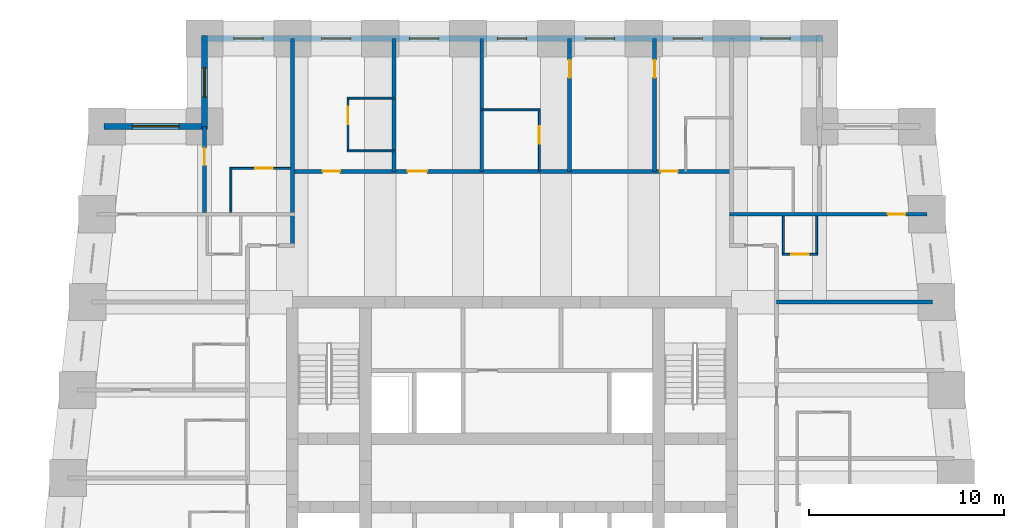
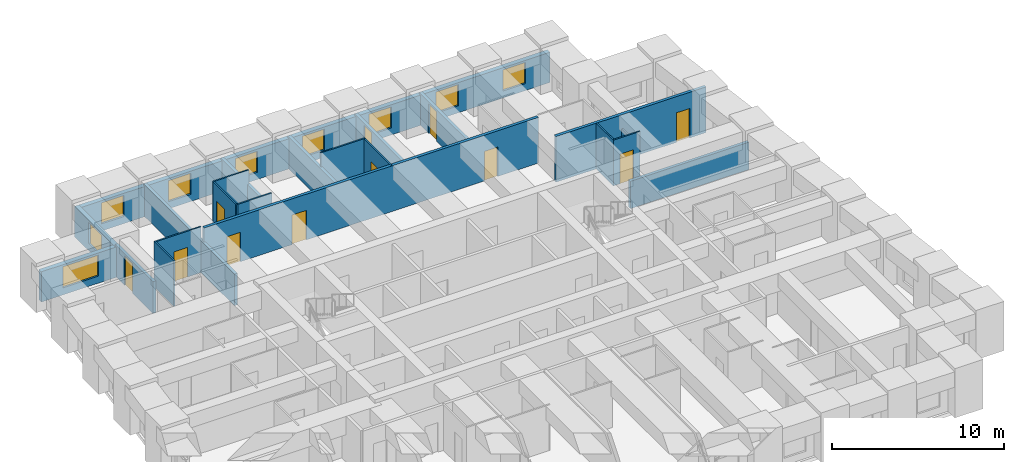
# One storey, part 6 of 8: 22 walls, 11 doors, 9 windows, 20 openings.
"""IFC4 building model written with IfcOpenShell, lengths in metres."""

from ifc_helpers import new_model, si_unit, direction, frame, frame_2d, origin, place, context, subcontext, project, spatial, rectangle, extrude, material, layer, layer_set, type_object, element, fill, save


model = new_model("IFC4")

# Units and contexts
model_context = context("Model", 3, precision=1e-05, world=origin(), true_north=direction((0.0, 1.0)))
body_context = subcontext(model_context, "Body", "Model", "MODEL_VIEW")
ifc_project = project(units=[si_unit("LENGTHUNIT", "METRE"), si_unit("AREAUNIT", "SQUARE_METRE"), si_unit("VOLUMEUNIT", "CUBIC_METRE"), si_unit("PLANEANGLEUNIT", "RADIAN"), si_unit("MASSUNIT", "GRAM", prefix="KILO")], contexts=[model_context])

# Site, building, storey
site_placement = place(None, origin())
site = spatial("IfcSite", under=ifc_project, at=site_placement, CompositionType="ELEMENT")
building_placement = place(site_placement, origin())
building = spatial("IfcBuilding", under=site, at=building_placement, Name="Kilele Tower Hotel", CompositionType="ELEMENT")
storey_placement = place(building_placement, frame((0.0, 0.0, 124.89990234375)))
storey = spatial("IfcBuildingStorey", under=building, at=storey_placement, Name="L32", CompositionType="ELEMENT", Elevation=124.89990234375)

# Walls
ifc_material_1 = material(Name="Moisture-resistant board")
ifc_layer_1 = layer(ifc_material_1, 0.10009765625)
ifc_layer_set_1 = layer_set([ifc_layer_1], Name="Moisture-resistant board")
wall_type_1 = type_object("IfcWallType", Name="Bathroom partition 100", PredefinedType="PLUMBINGWALL", material=ifc_layer_set_1)
for number, where, z_axis, x_axis, name in (
    (1, (16.300048828125, 34.75, 0.0), (0.0, 0.0, 1.0), (1.0, 0.0, 0.0), "Bathroom partition 100 L32"),
    (2, (16.300048828125, 37.449951171875, 0.0), (0.0, 0.0, 1.0), (1.0, 0.0, 0.0), "Bathroom partition 100 L32"),
):
    element("IfcWall", number, at=place(storey_placement, frame(where, z_axis=z_axis, x_axis=x_axis)), inside=storey, type_object=wall_type_1, Name=name, PredefinedType="PLUMBINGWALL", context=body_context, shape_type="SweptSolid", body=[
        extrude(rectangle(XDim=2.39990234375, YDim=0.10009765625, at=frame_2d((1.199951171875, 0.0))), origin(), (0.0, 0.0, 1.0), 3.25),
    ])

# Wall, opening, door
wall_1_placement = place(storey_placement, frame((16.35009765625, 34.699951171875, 0.0), z_axis=(0.0, 0.0, 1.0), x_axis=(0.0, 1.0, 0.0)))
wall_1 = element("IfcWall", 3, at=wall_1_placement, inside=storey, type_object=wall_type_1, Name="Bathroom partition 100 L32", PredefinedType="PLUMBINGWALL", context=body_context, shape_type="SweptSolid", body=[
    extrude(rectangle(XDim=2.800048828125, YDim=0.10009765625, at=frame_2d((1.39990234375, 0.0))), origin(), (0.0, 0.0, 1.0), 3.25),
])
opening_1_placement = place(wall_1_placement, frame((1.39990234375, 0.0, 0.0)))
opening_1 = element("IfcOpeningElement", 4, at=opening_1_placement, cuts=wall_1, Name="Opening D2A", PredefinedType="OPENING", context=body_context, shape_type="SweptSolid", body=[
    extrude(rectangle(XDim=0.89990234375, YDim=2.10009765625, at=frame_2d((0.449951171875, 1.050048828125))), frame((0.0, 0.06005859375, 0.0), z_axis=(0.0, -1.0, 0.0), x_axis=(1.0, 0.0, 0.0)), (0.0, 0.0, 1.0), 0.1201171875),
])
ifc_material_2 = material(Name="Timber door leaf in hardwood frame", Category="wood")
door_type_1 = type_object("IfcDoorType", Name="Bathroom door 900", OperationType="SINGLE_SWING_LEFT", PredefinedType="DOOR", material=ifc_material_2)
door_1_placement = place(opening_1_placement, origin())
door_1 = element("IfcDoor", 5, at=door_1_placement, inside=storey, type_object=door_type_1, Name="Bathroom door 3209B", OperationType="SINGLE_SWING_RIGHT", OverallHeight=2.10009765625, OverallWidth=0.89990234375, PredefinedType="DOOR", context=body_context, shape_type="SweptSolid", body=[
    extrude(rectangle(XDim=0.89990234375, YDim=2.10009765625, at=frame_2d((0.449951171875, 1.050048828125))), frame((0.0, 0.02490234375, 0.0), z_axis=(0.0, -1.0, 0.0), x_axis=(1.0, 0.0, 0.0)), (0.0, 0.0, 1.0), 0.050048828125),
])
fill(opening_1, door_1)

# Wall
wall_2_placement = place(storey_placement, frame((23.199951171875, 36.85009765625, 0.0), z_axis=(0.0, 0.0, 1.0), x_axis=(1.0, 0.0, 0.0)))
element("IfcWall", 6, at=wall_2_placement, inside=storey, type_object=wall_type_1, Name="Bathroom partition 100 L32", PredefinedType="PLUMBINGWALL", context=body_context, shape_type="SweptSolid", body=[
    extrude(rectangle(XDim=3.0, YDim=0.10009765625, at=frame_2d((1.5, 0.0))), origin(), (0.0, 0.0, 1.0), 3.25),
])

# Wall, opening, door
wall_3_placement = place(storey_placement, frame((26.14990234375, 33.699951171875, 0.0), z_axis=(0.0, 0.0, 1.0), x_axis=(0.0, 1.0, 0.0)))
wall_3 = element("IfcWall", 7, at=wall_3_placement, inside=storey, type_object=wall_type_1, Name="Bathroom partition 100 L32", PredefinedType="PLUMBINGWALL", context=body_context, shape_type="SweptSolid", body=[
    extrude(rectangle(XDim=3.199951171875, YDim=0.10009765625, at=frame_2d((1.60009765625, 0.0))), origin(), (0.0, 0.0, 1.0), 3.25),
])
opening_2_placement = place(wall_3_placement, frame((2.2998046875, 0.0, 0.0), z_axis=(0.0, 0.0, 1.0), x_axis=(-1.0, 0.0, 0.0)))
opening_2 = element("IfcOpeningElement", 8, at=opening_2_placement, cuts=wall_3, Name="Opening D2A", PredefinedType="OPENING", context=body_context, shape_type="SweptSolid", body=[
    extrude(rectangle(XDim=0.89990234375, YDim=2.10009765625, at=frame_2d((0.449951171875, 1.050048828125))), frame((0.0, 0.06005859375, 0.0), z_axis=(0.0, -1.0, 0.0), x_axis=(1.0, 0.0, 0.0)), (0.0, 0.0, 1.0), 0.1201171875),
])
door_2_placement = place(opening_2_placement, origin())
door_2 = element("IfcDoor", 9, at=door_2_placement, inside=storey, type_object=door_type_1, Name="Bathroom door 3211B", OperationType="SINGLE_SWING_RIGHT", OverallHeight=2.10009765625, OverallWidth=0.89990234375, PredefinedType="DOOR", context=body_context, shape_type="SweptSolid", body=[
    extrude(rectangle(XDim=0.89990234375, YDim=2.10009765625, at=frame_2d((0.449951171875, 1.050048828125))), frame((0.0, 0.02490234375, 0.0), z_axis=(0.0, -1.0, 0.0), x_axis=(1.0, 0.0, 0.0)), (0.0, 0.0, 1.0), 0.050048828125),
])
fill(opening_2, door_2)

# Walls
wall_4_placement = place(storey_placement, frame((40.35009765625, 31.39990234375, 0.0), z_axis=(0.0, 0.0, 1.0), x_axis=(0.0, -1.0, 0.0)))
element("IfcWall", 10, at=wall_4_placement, inside=storey, type_object=wall_type_1, Name="Bathroom partition 100 L32", PredefinedType="PLUMBINGWALL", context=body_context, shape_type="SweptSolid", body=[
    extrude(rectangle(XDim=2.0, YDim=0.10009765625, at=frame_2d((1.0, 0.0))), origin(), (0.0, 0.0, 1.0), 2.25),
])
wall_5_placement = place(storey_placement, frame((38.64990234375, 31.39990234375, 0.0), z_axis=(0.0, 0.0, 1.0), x_axis=(0.0, -1.0, 0.0)))
element("IfcWall", 11, at=wall_5_placement, inside=storey, type_object=wall_type_1, Name="Bathroom partition 100 L32", PredefinedType="PLUMBINGWALL", context=body_context, shape_type="SweptSolid", body=[
    extrude(rectangle(XDim=2.0, YDim=0.10009765625, at=frame_2d((1.0, 0.0))), origin(), (0.0, 0.0, 1.0), 3.25),
])

# Wall, opening, door
wall_6_placement = place(storey_placement, frame((38.60009765625, 29.449951171875, 0.0), z_axis=(0.0, 0.0, 1.0), x_axis=(1.0, 0.0, 0.0)))
wall_6 = element("IfcWall", 12, at=wall_6_placement, inside=storey, type_object=wall_type_1, Name="Bathroom partition 100 L32", PredefinedType="PLUMBINGWALL", context=body_context, shape_type="SweptSolid", body=[
    extrude(rectangle(XDim=1.7998046875, YDim=0.10009765625, at=frame_2d((0.89990234375, 0.0))), origin(), (0.0, 0.0, 1.0), 3.25),
])
opening_3_placement = place(wall_6_placement, frame((1.349853515625, 0.0, 0.0), z_axis=(0.0, 0.0, 1.0), x_axis=(-1.0, 0.0, 0.0)))
opening_3 = element("IfcOpeningElement", 13, at=opening_3_placement, cuts=wall_6, Name="Opening D2A", PredefinedType="OPENING", context=body_context, shape_type="SweptSolid", body=[
    extrude(rectangle(XDim=0.89990234375, YDim=2.10009765625, at=frame_2d((0.449951171875, 1.050048828125))), frame((0.0, 0.06005859375, 0.0), z_axis=(0.0, -1.0, 0.0), x_axis=(1.0, 0.0, 0.0)), (0.0, 0.0, 1.0), 0.1201171875),
])
door_3_placement = place(opening_3_placement, origin())
door_3 = element("IfcDoor", 14, at=door_3_placement, inside=storey, type_object=door_type_1, Name="Bathroom door 3223P", OperationType="SINGLE_SWING_RIGHT", OverallHeight=2.10009765625, OverallWidth=0.89990234375, PredefinedType="DOOR", context=body_context, shape_type="SweptSolid", body=[
    extrude(rectangle(XDim=0.89990234375, YDim=2.10009765625, at=frame_2d((0.449951171875, 1.050048828125))), frame((0.0, 0.02490234375, 0.0), z_axis=(0.0, -1.0, 0.0), x_axis=(1.0, 0.0, 0.0)), (0.0, 0.0, 1.0), 0.050048828125),
])
fill(opening_3, door_3)

# Wall
wall_7_placement = place(storey_placement, frame((10.35009765625, 31.60009765625, 0.0), z_axis=(0.0, 0.0, 1.0), x_axis=(0.0, 1.0, 0.0)))
element("IfcWall", 15, at=wall_7_placement, inside=storey, type_object=wall_type_1, Name="Bathroom partition 100 L32", PredefinedType="PLUMBINGWALL", context=body_context, shape_type="SweptSolid", body=[
    extrude(rectangle(XDim=2.2998046875, YDim=0.10009765625, at=frame_2d((1.14990234375, 0.0))), origin(), (0.0, 0.0, 1.0), 3.25),
])

# Wall, opening, door
wall_8_placement = place(storey_placement, frame((13.39990234375, 33.85009765625, 0.0), z_axis=(0.0, 0.0, 1.0), x_axis=(-1.0, 0.0, 0.0)))
wall_8 = element("IfcWall", 16, at=wall_8_placement, inside=storey, type_object=wall_type_1, Name="Bathroom partition 100 L32", PredefinedType="PLUMBINGWALL", context=body_context, shape_type="SweptSolid", body=[
    extrude(rectangle(XDim=3.099853515625, YDim=0.10009765625, at=frame_2d((1.5498046875, 0.0))), origin(), (0.0, 0.0, 1.0), 3.25),
])
opening_4_placement = place(wall_8_placement, frame((1.7998046875, 0.0, 0.0), z_axis=(0.0, 0.0, 1.0), x_axis=(-1.0, 0.0, 0.0)))
opening_4 = element("IfcOpeningElement", 17, at=opening_4_placement, cuts=wall_8, Name="Opening D2A", PredefinedType="OPENING", context=body_context, shape_type="SweptSolid", body=[
    extrude(rectangle(XDim=0.89990234375, YDim=2.10009765625, at=frame_2d((0.449951171875, 1.050048828125))), frame((0.0, 0.06005859375, 0.0), z_axis=(0.0, -1.0, 0.0), x_axis=(1.0, 0.0, 0.0)), (0.0, 0.0, 1.0), 0.1201171875),
])
door_4_placement = place(opening_4_placement, origin())
door_4 = element("IfcDoor", 18, at=door_4_placement, inside=storey, type_object=door_type_1, Name="Bathroom door 3227B", OperationType="SINGLE_SWING_RIGHT", OverallHeight=2.10009765625, OverallWidth=0.89990234375, PredefinedType="DOOR", context=body_context, shape_type="SweptSolid", body=[
    extrude(rectangle(XDim=0.89990234375, YDim=2.10009765625, at=frame_2d((0.449951171875, 1.050048828125))), frame((0.0, 0.02490234375, 0.0), z_axis=(0.0, -1.0, 0.0), x_axis=(1.0, 0.0, 0.0)), (0.0, 0.0, 1.0), 0.050048828125),
])
fill(opening_4, door_4)

# Wall, openings, doors
ifc_material_3 = material(Name="Blockwork, plastered both sides", Category="masonry")
ifc_layer_2 = layer(ifc_material_3, 0.199951171875)
ifc_layer_set_2 = layer_set([ifc_layer_2], Name="Blockwork, plastered both sides")
wall_type_2 = type_object("IfcWallType", Name="Corridor wall 200", PredefinedType="PARTITIONING", material=ifc_layer_set_2)
wall_9_placement = place(storey_placement, frame((13.5, 33.699951171875, 0.0), z_axis=(0.0, 0.0, 1.0), x_axis=(1.0, 0.0, 0.0)))
wall_9 = element("IfcWall", 19, at=wall_9_placement, inside=storey, type_object=wall_type_2, Name="Corridor wall 200 L32", PredefinedType="PARTITIONING", context=body_context, shape_type="SweptSolid", body=[
    extrude(rectangle(XDim=22.5, YDim=0.199951171875, at=frame_2d((11.25, 0.0))), origin(), (0.0, 0.0, 1.0), 3.25),
])
opening_5_placement = place(wall_9_placement, frame((1.550048828125, 0.0, 0.0)))
opening_5 = element("IfcOpeningElement", 20, at=opening_5_placement, cuts=wall_9, Name="Opening D1", PredefinedType="OPENING", context=body_context, shape_type="SweptSolid", body=[
    extrude(rectangle(XDim=0.89990234375, YDim=2.10009765625, at=frame_2d((0.449951171875, 1.050048828125))), frame((0.0, 0.10986328125, 0.0), z_axis=(0.0, -1.0, 0.0), x_axis=(1.0, 0.0, 0.0)), (0.0, 0.0, 1.0), 0.219970703125),
])
opening_6_placement = place(wall_9_placement, frame((5.89990234375, 0.0, 0.0)))
opening_6 = element("IfcOpeningElement", 21, at=opening_6_placement, cuts=wall_9, Name="Opening D8", PredefinedType="OPENING", context=body_context, shape_type="SweptSolid", body=[
    extrude(rectangle(XDim=1.0, YDim=2.10009765625, at=frame_2d((0.5, 1.050048828125))), frame((0.0, 0.10986328125, 0.0), z_axis=(0.0, -1.0, 0.0), x_axis=(1.0, 0.0, 0.0)), (0.0, 0.0, 1.0), 0.219970703125),
])
opening_7_placement = place(wall_9_placement, frame((18.85009765625, 0.0, 0.0)))
opening_7 = element("IfcOpeningElement", 22, at=opening_7_placement, cuts=wall_9, Name="Opening D1", PredefinedType="OPENING", context=body_context, shape_type="SweptSolid", body=[
    extrude(rectangle(XDim=0.89990234375, YDim=2.10009765625, at=frame_2d((0.449951171875, 1.050048828125))), frame((0.0, 0.10986328125, 0.0), z_axis=(0.0, -1.0, 0.0), x_axis=(1.0, 0.0, 0.0)), (0.0, 0.0, 1.0), 0.219970703125),
])
ifc_material_4 = material(Name="Timber door leaf in hardwood frame", Category="wood")
door_type_2 = type_object("IfcDoorType", Name="Door 1000", OperationType="SINGLE_SWING_LEFT", PredefinedType="DOOR", material=ifc_material_4)
door_5_placement = place(opening_6_placement, origin())
door_5 = element("IfcDoor", 23, at=door_5_placement, inside=storey, type_object=door_type_2, Name="Room entrance 3210", OperationType="SINGLE_SWING_LEFT", OverallHeight=2.10009765625, OverallWidth=1.0, PredefinedType="DOOR", context=body_context, shape_type="SweptSolid", body=[
    extrude(rectangle(XDim=1.0, YDim=2.10009765625, at=frame_2d((0.5, 1.050048828125))), frame((0.0, 0.02490234375, 0.0), z_axis=(0.0, -1.0, 0.0), x_axis=(1.0, 0.0, 0.0)), (0.0, 0.0, 1.0), 0.050048828125),
])
fill(opening_6, door_5)
ifc_material_5 = material(Name="Timber door leaf in hardwood frame", Category="wood")
door_type_3 = type_object("IfcDoorType", Name="Guest room entrance door 900", OperationType="SINGLE_SWING_LEFT", PredefinedType="DOOR", material=ifc_material_5)
door_6_placement = place(opening_5_placement, origin())
door_6 = element("IfcDoor", 24, at=door_6_placement, inside=storey, type_object=door_type_3, Name="Room entrance 3209", OperationType="SINGLE_SWING_RIGHT", OverallHeight=2.10009765625, OverallWidth=0.89990234375, PredefinedType="DOOR", context=body_context, shape_type="SweptSolid", body=[
    extrude(rectangle(XDim=0.89990234375, YDim=2.10009765625, at=frame_2d((0.449951171875, 1.050048828125))), frame((0.0, 0.02490234375, 0.0), z_axis=(0.0, -1.0, 0.0), x_axis=(1.0, 0.0, 0.0)), (0.0, 0.0, 1.0), 0.050048828125),
])
fill(opening_5, door_6)
door_7_placement = place(opening_7_placement, origin())
door_7 = element("IfcDoor", 25, at=door_7_placement, inside=storey, type_object=door_type_3, Name="Room entrance 3213", OperationType="SINGLE_SWING_LEFT", OverallHeight=2.10009765625, OverallWidth=0.89990234375, PredefinedType="DOOR", context=body_context, shape_type="SweptSolid", body=[
    extrude(rectangle(XDim=0.89990234375, YDim=2.10009765625, at=frame_2d((0.449951171875, 1.050048828125))), frame((0.0, 0.02490234375, 0.0), z_axis=(0.0, -1.0, 0.0), x_axis=(1.0, 0.0, 0.0)), (0.0, 0.0, 1.0), 0.050048828125),
])
fill(opening_7, door_7)

# Wall, opening, door
ifc_material_6 = material(Name="Blockwork, plastered both sides", Category="masonry")
ifc_layer_3 = layer(ifc_material_6, 0.199951171875)
ifc_layer_set_3 = layer_set([ifc_layer_3], Name="Blockwork, plastered both sides")
wall_type_3 = type_object("IfcWallType", Name="Partition wall 200", PredefinedType="PARTITIONING", material=ifc_layer_set_3)
wall_10_placement = place(storey_placement, frame((9.0, 31.60009765625, 0.0), z_axis=(0.0, 0.0, 1.0), x_axis=(0.0, 1.0, 0.0)))
wall_10 = element("IfcWall", 26, at=wall_10_placement, inside=storey, type_object=wall_type_3, Name="Partition wall 200 L32", PredefinedType="PARTITIONING", context=body_context, shape_type="SweptSolid", body=[
    extrude(rectangle(XDim=4.39990234375, YDim=0.199951171875, at=frame_2d((2.199951171875, 0.0))), origin(), (0.0, 0.0, 1.0), 2.25),
])
opening_8_placement = place(wall_10_placement, frame((2.39990234375, 0.0, 0.0)))
opening_8 = element("IfcOpeningElement", 27, at=opening_8_placement, cuts=wall_10, Name="Opening D3", PredefinedType="OPENING", context=body_context, shape_type="SweptSolid", body=[
    extrude(rectangle(XDim=0.89990234375, YDim=2.10009765625, at=frame_2d((0.449951171875, 1.050048828125))), frame((0.0, 0.10986328125, 0.0), z_axis=(0.0, -1.0, 0.0), x_axis=(1.0, 0.0, 0.0)), (0.0, 0.0, 1.0), 0.219970703125),
])
ifc_material_7 = material(Name="Timber door leaf in hardwood frame", Category="wood")
door_type_4 = type_object("IfcDoorType", Name="Suite internal door 900", OperationType="SINGLE_SWING_LEFT", PredefinedType="DOOR", material=ifc_material_7)
door_8_placement = place(opening_8_placement, origin())
door_8 = element("IfcDoor", 28, at=door_8_placement, inside=storey, type_object=door_type_4, Name="Suite door 3228", OperationType="SINGLE_SWING_RIGHT", OverallHeight=2.10009765625, OverallWidth=0.89990234375, PredefinedType="DOOR", context=body_context, shape_type="SweptSolid", body=[
    extrude(rectangle(XDim=0.89990234375, YDim=2.10009765625, at=frame_2d((0.449951171875, 1.050048828125))), frame((0.0, 0.02490234375, 0.0), z_axis=(0.0, -1.0, 0.0), x_axis=(1.0, 0.0, 0.0)), (0.0, 0.0, 1.0), 0.050048828125),
])
fill(opening_8, door_8)

# Walls
ifc_material_8 = material(Name="Blockwork, plastered both sides", Category="masonry")
ifc_layer_4 = layer(ifc_material_8, 0.199951171875)
ifc_layer_set_4 = layer_set([ifc_layer_4], Name="Blockwork, plastered both sides")
wall_type_4 = type_object("IfcWallType", Name="Party wall 200", PredefinedType="PARTITIONING", material=ifc_layer_set_4)
for number, where, z_axis, x_axis, name in (
    (29, (18.699951171875, 33.699951171875, 0.0), (0.0, 0.0, 1.0), (0.0, 1.0, 0.0), "Party wall 200 L32"),
    (30, (23.199951171875, 33.699951171875, 0.0), (0.0, 0.0, 1.0), (0.0, 1.0, 0.0), "Party wall 200 L32"),
):
    element("IfcWall", number, at=place(storey_placement, frame(where, z_axis=z_axis, x_axis=x_axis)), inside=storey, type_object=wall_type_4, Name=name, PredefinedType="PARTITIONING", context=body_context, shape_type="SweptSolid", body=[
        extrude(rectangle(XDim=6.800048828125, YDim=0.199951171875, at=frame_2d((3.39990234375, 0.0))), origin(), (0.0, 0.0, 1.0), 2.25),
    ])

# Wall, opening, door
wall_11_placement = place(storey_placement, frame((27.699951171875, 33.699951171875, 0.0), z_axis=(0.0, 0.0, 1.0), x_axis=(0.0, 1.0, 0.0)))
wall_11 = element("IfcWall", 31, at=wall_11_placement, inside=storey, type_object=wall_type_4, Name="Party wall 200 L32", PredefinedType="PARTITIONING", context=body_context, shape_type="SweptSolid", body=[
    extrude(rectangle(XDim=6.800048828125, YDim=0.199951171875, at=frame_2d((3.39990234375, 0.0))), origin(), (0.0, 0.0, 1.0), 2.25),
])
opening_9_placement = place(wall_11_placement, frame((4.800048828125, 0.0, 0.0)))
opening_9 = element("IfcOpeningElement", 32, at=opening_9_placement, cuts=wall_11, Name="Opening D3", PredefinedType="OPENING", context=body_context, shape_type="SweptSolid", body=[
    extrude(rectangle(XDim=0.89990234375, YDim=2.10009765625, at=frame_2d((0.449951171875, 1.050048828125))), frame((0.0, 0.10986328125, 0.0), z_axis=(0.0, -1.0, 0.0), x_axis=(1.0, 0.0, 0.0)), (0.0, 0.0, 1.0), 0.219970703125),
])
door_9_placement = place(opening_9_placement, origin())
door_9 = element("IfcDoor", 33, at=door_9_placement, inside=storey, type_object=door_type_4, Name="Suite door 3212", OperationType="SINGLE_SWING_RIGHT", OverallHeight=2.10009765625, OverallWidth=0.89990234375, PredefinedType="DOOR", context=body_context, shape_type="SweptSolid", body=[
    extrude(rectangle(XDim=0.89990234375, YDim=2.10009765625, at=frame_2d((0.449951171875, 1.050048828125))), frame((0.0, 0.02490234375, 0.0), z_axis=(0.0, -1.0, 0.0), x_axis=(1.0, 0.0, 0.0)), (0.0, 0.0, 1.0), 0.050048828125),
])
fill(opening_9, door_9)

wall_12_placement = place(storey_placement, frame((32.050048828125, 33.699951171875, 0.0), z_axis=(0.0, 0.0, 1.0), x_axis=(0.0, 1.0, 0.0)))
wall_12 = element("IfcWall", 34, at=wall_12_placement, inside=storey, type_object=wall_type_4, Name="Party wall 200 L32", PredefinedType="PARTITIONING", context=body_context, shape_type="SweptSolid", body=[
    extrude(rectangle(XDim=6.800048828125, YDim=0.199951171875, at=frame_2d((3.39990234375, 0.0))), origin(), (0.0, 0.0, 1.0), 2.25),
])
opening_10_placement = place(wall_12_placement, frame((4.800048828125, 0.0, 0.0)))
opening_10 = element("IfcOpeningElement", 35, at=opening_10_placement, cuts=wall_12, Name="Opening D3", PredefinedType="OPENING", context=body_context, shape_type="SweptSolid", body=[
    extrude(rectangle(XDim=0.89990234375, YDim=2.10009765625, at=frame_2d((0.449951171875, 1.050048828125))), frame((0.0, 0.10986328125, 0.0), z_axis=(0.0, -1.0, 0.0), x_axis=(1.0, 0.0, 0.0)), (0.0, 0.0, 1.0), 0.219970703125),
])
door_10_placement = place(opening_10_placement, origin())
door_10 = element("IfcDoor", 36, at=door_10_placement, inside=storey, type_object=door_type_4, Name="Suite door 3213", OperationType="SINGLE_SWING_RIGHT", OverallHeight=2.10009765625, OverallWidth=0.89990234375, PredefinedType="DOOR", context=body_context, shape_type="SweptSolid", body=[
    extrude(rectangle(XDim=0.89990234375, YDim=2.10009765625, at=frame_2d((0.449951171875, 1.050048828125))), frame((0.0, 0.02490234375, 0.0), z_axis=(0.0, -1.0, 0.0), x_axis=(1.0, 0.0, 0.0)), (0.0, 0.0, 1.0), 0.050048828125),
])
fill(opening_10, door_10)

# Wall
wall_13_placement = place(storey_placement, frame((38.300048828125, 27.0, 0.0), z_axis=(0.0, 0.0, 1.0), x_axis=(1.0, 0.0, 0.0)))
element("IfcWall", 37, at=wall_13_placement, inside=storey, type_object=wall_type_4, Name="Party wall 200 L32", PredefinedType="PARTITIONING", context=body_context, shape_type="SweptSolid", body=[
    extrude(rectangle(XDim=7.976806640625, YDim=0.199951171875, at=frame_2d((3.98828125, 0.0))), origin(), (0.0, 0.0, 1.0), 1.9501953125),
])

# Wall, opening, door
wall_14_placement = place(storey_placement, frame((35.89990234375, 31.5, 0.0), z_axis=(0.0, 0.0, 1.0), x_axis=(1.0, 0.0, 0.0)))
wall_14 = element("IfcWall", 38, at=wall_14_placement, inside=storey, type_object=wall_type_4, Name="Party wall 200 L32", PredefinedType="PARTITIONING", context=body_context, shape_type="SweptSolid", body=[
    extrude(rectangle(XDim=10.09912109375, YDim=0.199951171875, at=frame_2d((5.049560546875, 0.0))), origin(), (0.0, 0.0, 1.0), 3.25),
])
opening_11_placement = place(wall_14_placement, frame((8.09912109375, 0.0, 0.0)))
opening_11 = element("IfcOpeningElement", 39, at=opening_11_placement, cuts=wall_14, Name="Opening D3", PredefinedType="OPENING", context=body_context, shape_type="SweptSolid", body=[
    extrude(rectangle(XDim=0.89990234375, YDim=2.10009765625, at=frame_2d((0.449951171875, 1.050048828125))), frame((0.0, 0.10986328125, 0.0), z_axis=(0.0, -1.0, 0.0), x_axis=(1.0, 0.0, 0.0)), (0.0, 0.0, 1.0), 0.219970703125),
])
door_11_placement = place(opening_11_placement, origin())
door_11 = element("IfcDoor", 40, at=door_11_placement, inside=storey, type_object=door_type_4, Name="Suite door 3224", OperationType="SINGLE_SWING_RIGHT", OverallHeight=2.10009765625, OverallWidth=0.89990234375, PredefinedType="DOOR", context=body_context, shape_type="SweptSolid", body=[
    extrude(rectangle(XDim=0.89990234375, YDim=2.10009765625, at=frame_2d((0.449951171875, 1.050048828125))), frame((0.0, 0.02490234375, 0.0), z_axis=(0.0, -1.0, 0.0), x_axis=(1.0, 0.0, 0.0)), (0.0, 0.0, 1.0), 0.050048828125),
])
fill(opening_11, door_11)

# Wall
wall_15_placement = place(storey_placement, frame((13.5, 29.89990234375, 0.0), z_axis=(0.0, 0.0, 1.0), x_axis=(0.0, 1.0, 0.0)))
element("IfcWall", 41, at=wall_15_placement, inside=storey, type_object=wall_type_4, Name="Party wall 200 L32", PredefinedType="PARTITIONING", context=body_context, shape_type="SweptSolid", body=[
    extrude(rectangle(XDim=10.60009765625, YDim=0.199951171875, at=frame_2d((5.300048828125, 0.0))), origin(), (0.0, 0.0, 1.0), 2.25),
])

# Wall, openings, windows
ifc_material_9 = material(Name="Concrete C40/50 precast", Category="concrete")
ifc_layer_5 = layer(ifc_material_9, 0.260009765625, Name="Precast backing", Category="LoadBearing")
ifc_material_10 = material(Name="Reconstituted stone finish", Category="masonry")
ifc_layer_6 = layer(ifc_material_10, 0.0400390625, Name="Face mix", Category="Finish")
ifc_layer_set_5 = layer_set([ifc_layer_5, ifc_layer_6], Name="Precast concrete C40/50, reconstituted stone finish")
wall_type_5 = type_object("IfcWallType", Name="Precast stone facade wall 300", PredefinedType="STANDARD", material=ifc_layer_set_5)
wall_16_placement = place(storey_placement, frame((40.64990234375, 40.5, 0.0), z_axis=(0.0, 0.0, 1.0), x_axis=(-1.0, 0.0, 0.0)))
wall_16 = element("IfcWall", 42, at=wall_16_placement, inside=storey, type_object=wall_type_5, Name="Facade wall L32 edge 9", PredefinedType="STANDARD", context=body_context, shape_type="SweptSolid", body=[
    extrude(rectangle(XDim=31.7998046875, YDim=0.300048828125, at=frame_2d((15.89990234375, 0.0))), origin(), (0.0, 0.0, 1.0), 2.150146484375),
])
opening_12_placement = place(wall_16_placement, frame((1.64990234375, 0.0, 0.5)))
opening_12 = element("IfcOpeningElement", 43, at=opening_12_placement, cuts=wall_16, Name="Opening W2", PredefinedType="OPENING", context=body_context, shape_type="SweptSolid", body=[
    extrude(rectangle(XDim=1.5, YDim=1.5, at=frame_2d((0.75, 0.75))), frame((0.0, 0.159912109375, 0.0), z_axis=(0.0, -1.0, 0.0), x_axis=(1.0, 0.0, 0.0)), (0.0, 0.0, 1.0), 0.320068359375),
])
opening_13_placement = place(wall_16_placement, frame((6.14990234375, 0.0, 0.5)))
opening_13 = element("IfcOpeningElement", 44, at=opening_13_placement, cuts=wall_16, Name="Opening W2", PredefinedType="OPENING", context=body_context, shape_type="SweptSolid", body=[
    extrude(rectangle(XDim=1.5, YDim=1.5, at=frame_2d((0.75, 0.75))), frame((0.0, 0.159912109375, 0.0), z_axis=(0.0, -1.0, 0.0), x_axis=(1.0, 0.0, 0.0)), (0.0, 0.0, 1.0), 0.320068359375),
])
opening_14_placement = place(wall_16_placement, frame((10.64990234375, 0.0, 0.5)))
opening_14 = element("IfcOpeningElement", 45, at=opening_14_placement, cuts=wall_16, Name="Opening W2", PredefinedType="OPENING", context=body_context, shape_type="SweptSolid", body=[
    extrude(rectangle(XDim=1.5, YDim=1.5, at=frame_2d((0.75, 0.75))), frame((0.0, 0.159912109375, 0.0), z_axis=(0.0, -1.0, 0.0), x_axis=(1.0, 0.0, 0.0)), (0.0, 0.0, 1.0), 0.320068359375),
])
opening_15_placement = place(wall_16_placement, frame((15.14990234375, 0.0, 0.5)))
opening_15 = element("IfcOpeningElement", 46, at=opening_15_placement, cuts=wall_16, Name="Opening W2", PredefinedType="OPENING", context=body_context, shape_type="SweptSolid", body=[
    extrude(rectangle(XDim=1.5, YDim=1.5, at=frame_2d((0.75, 0.75))), frame((0.0, 0.159912109375, 0.0), z_axis=(0.0, -1.0, 0.0), x_axis=(1.0, 0.0, 0.0)), (0.0, 0.0, 1.0), 0.320068359375),
])
opening_16_placement = place(wall_16_placement, frame((19.64990234375, 0.0, 0.5)))
opening_16 = element("IfcOpeningElement", 47, at=opening_16_placement, cuts=wall_16, Name="Opening W2", PredefinedType="OPENING", context=body_context, shape_type="SweptSolid", body=[
    extrude(rectangle(XDim=1.5, YDim=1.5, at=frame_2d((0.75, 0.75))), frame((0.0, 0.159912109375, 0.0), z_axis=(0.0, -1.0, 0.0), x_axis=(1.0, 0.0, 0.0)), (0.0, 0.0, 1.0), 0.320068359375),
])
opening_17_placement = place(wall_16_placement, frame((24.14990234375, 0.0, 0.5)))
opening_17 = element("IfcOpeningElement", 48, at=opening_17_placement, cuts=wall_16, Name="Opening W2", PredefinedType="OPENING", context=body_context, shape_type="SweptSolid", body=[
    extrude(rectangle(XDim=1.5, YDim=1.5, at=frame_2d((0.75, 0.75))), frame((0.0, 0.159912109375, 0.0), z_axis=(0.0, -1.0, 0.0), x_axis=(1.0, 0.0, 0.0)), (0.0, 0.0, 1.0), 0.320068359375),
])
opening_18_placement = place(wall_16_placement, frame((28.64990234375, 0.0, 0.5)))
opening_18 = element("IfcOpeningElement", 49, at=opening_18_placement, cuts=wall_16, Name="Opening W2", PredefinedType="OPENING", context=body_context, shape_type="SweptSolid", body=[
    extrude(rectangle(XDim=1.5, YDim=1.5, at=frame_2d((0.75, 0.75))), frame((0.0, 0.159912109375, 0.0), z_axis=(0.0, -1.0, 0.0), x_axis=(1.0, 0.0, 0.0)), (0.0, 0.0, 1.0), 0.320068359375),
])
ifc_material_11 = material(Name="Aluminium frame, clear double glazing", Category="aluminium")
window_type_1 = type_object("IfcWindowType", Name="Window W2 1500 x 1500", PartitioningType="SINGLE_PANEL", PredefinedType="WINDOW", material=ifc_material_11)
window_1_placement = place(opening_12_placement, origin())
window_1 = element("IfcWindow", 50, at=window_1_placement, inside=storey, type_object=window_type_1, Name="Window L32", OverallHeight=1.5, OverallWidth=1.5, PartitioningType="SINGLE_PANEL", PredefinedType="WINDOW", context=body_context, shape_type="SweptSolid", body=[
    extrude(rectangle(XDim=1.5, YDim=1.5, at=frame_2d((0.75, 0.75))), frame((0.0, 0.030029296875, 0.0), z_axis=(0.0, -1.0, 0.0), x_axis=(1.0, 0.0, 0.0)), (0.0, 0.0, 1.0), 0.06005859375),
])
fill(opening_12, window_1)
window_2_placement = place(opening_13_placement, origin())
window_2 = element("IfcWindow", 51, at=window_2_placement, inside=storey, type_object=window_type_1, Name="Window L32", OverallHeight=1.5, OverallWidth=1.5, PartitioningType="SINGLE_PANEL", PredefinedType="WINDOW", context=body_context, shape_type="SweptSolid", body=[
    extrude(rectangle(XDim=1.5, YDim=1.5, at=frame_2d((0.75, 0.75))), frame((0.0, 0.030029296875, 0.0), z_axis=(0.0, -1.0, 0.0), x_axis=(1.0, 0.0, 0.0)), (0.0, 0.0, 1.0), 0.06005859375),
])
fill(opening_13, window_2)
window_3_placement = place(opening_14_placement, origin())
window_3 = element("IfcWindow", 52, at=window_3_placement, inside=storey, type_object=window_type_1, Name="Window L32", OverallHeight=1.5, OverallWidth=1.5, PartitioningType="SINGLE_PANEL", PredefinedType="WINDOW", context=body_context, shape_type="SweptSolid", body=[
    extrude(rectangle(XDim=1.5, YDim=1.5, at=frame_2d((0.75, 0.75))), frame((0.0, 0.030029296875, 0.0), z_axis=(0.0, -1.0, 0.0), x_axis=(1.0, 0.0, 0.0)), (0.0, 0.0, 1.0), 0.06005859375),
])
fill(opening_14, window_3)
window_4_placement = place(opening_15_placement, origin())
window_4 = element("IfcWindow", 53, at=window_4_placement, inside=storey, type_object=window_type_1, Name="Window L32", OverallHeight=1.5, OverallWidth=1.5, PartitioningType="SINGLE_PANEL", PredefinedType="WINDOW", context=body_context, shape_type="SweptSolid", body=[
    extrude(rectangle(XDim=1.5, YDim=1.5, at=frame_2d((0.75, 0.75))), frame((0.0, 0.030029296875, 0.0), z_axis=(0.0, -1.0, 0.0), x_axis=(1.0, 0.0, 0.0)), (0.0, 0.0, 1.0), 0.06005859375),
])
fill(opening_15, window_4)
window_5_placement = place(opening_16_placement, origin())
window_5 = element("IfcWindow", 54, at=window_5_placement, inside=storey, type_object=window_type_1, Name="Window L32", OverallHeight=1.5, OverallWidth=1.5, PartitioningType="SINGLE_PANEL", PredefinedType="WINDOW", context=body_context, shape_type="SweptSolid", body=[
    extrude(rectangle(XDim=1.5, YDim=1.5, at=frame_2d((0.75, 0.75))), frame((0.0, 0.030029296875, 0.0), z_axis=(0.0, -1.0, 0.0), x_axis=(1.0, 0.0, 0.0)), (0.0, 0.0, 1.0), 0.06005859375),
])
fill(opening_16, window_5)
window_6_placement = place(opening_17_placement, origin())
window_6 = element("IfcWindow", 55, at=window_6_placement, inside=storey, type_object=window_type_1, Name="Window L32", OverallHeight=1.5, OverallWidth=1.5, PartitioningType="SINGLE_PANEL", PredefinedType="WINDOW", context=body_context, shape_type="SweptSolid", body=[
    extrude(rectangle(XDim=1.5, YDim=1.5, at=frame_2d((0.75, 0.75))), frame((0.0, 0.030029296875, 0.0), z_axis=(0.0, -1.0, 0.0), x_axis=(1.0, 0.0, 0.0)), (0.0, 0.0, 1.0), 0.06005859375),
])
fill(opening_17, window_6)
window_7_placement = place(opening_18_placement, origin())
window_7 = element("IfcWindow", 56, at=window_7_placement, inside=storey, type_object=window_type_1, Name="Window L32", OverallHeight=1.5, OverallWidth=1.5, PartitioningType="SINGLE_PANEL", PredefinedType="WINDOW", context=body_context, shape_type="SweptSolid", body=[
    extrude(rectangle(XDim=1.5, YDim=1.5, at=frame_2d((0.75, 0.75))), frame((0.0, 0.030029296875, 0.0), z_axis=(0.0, -1.0, 0.0), x_axis=(1.0, 0.0, 0.0)), (0.0, 0.0, 1.0), 0.06005859375),
])
fill(opening_18, window_7)

# Wall, opening, window
wall_17_placement = place(storey_placement, frame((9.0, 40.64990234375, 0.0), z_axis=(0.0, 0.0, 1.0), x_axis=(0.0, -1.0, 0.0)))
wall_17 = element("IfcWall", 57, at=wall_17_placement, inside=storey, type_object=wall_type_5, Name="Facade wall L32 edge 10", PredefinedType="STANDARD", context=body_context, shape_type="SweptSolid", body=[
    extrude(rectangle(XDim=4.7998046875, YDim=0.300048828125, at=frame_2d((2.39990234375, 0.0))), origin(), (0.0, 0.0, 1.0), 2.150146484375),
])
opening_19_placement = place(wall_17_placement, frame((1.64990234375, 0.0, 0.5)))
opening_19 = element("IfcOpeningElement", 58, at=opening_19_placement, cuts=wall_17, Name="Opening W2", PredefinedType="OPENING", context=body_context, shape_type="SweptSolid", body=[
    extrude(rectangle(XDim=1.5, YDim=1.5, at=frame_2d((0.75, 0.75))), frame((0.0, 0.159912109375, 0.0), z_axis=(0.0, -1.0, 0.0), x_axis=(1.0, 0.0, 0.0)), (0.0, 0.0, 1.0), 0.320068359375),
])
window_8_placement = place(opening_19_placement, origin())
window_8 = element("IfcWindow", 59, at=window_8_placement, inside=storey, type_object=window_type_1, Name="Window L32", OverallHeight=1.5, OverallWidth=1.5, PartitioningType="SINGLE_PANEL", PredefinedType="WINDOW", context=body_context, shape_type="SweptSolid", body=[
    extrude(rectangle(XDim=1.5, YDim=1.5, at=frame_2d((0.75, 0.75))), frame((0.0, 0.030029296875, 0.0), z_axis=(0.0, -1.0, 0.0), x_axis=(1.0, 0.0, 0.0)), (0.0, 0.0, 1.0), 0.06005859375),
])
fill(opening_19, window_8)

wall_18_placement = place(storey_placement, frame((9.14990234375, 36.0, 0.0), z_axis=(0.0, 0.0, 1.0), x_axis=(-1.0, 0.0, 0.0)))
wall_18 = element("IfcWall", 60, at=wall_18_placement, inside=storey, type_object=wall_type_5, Name="Facade wall L32 edge 11", PredefinedType="STANDARD", context=body_context, shape_type="SweptSolid", body=[
    extrude(rectangle(XDim=5.2998046875, YDim=0.300048828125, at=frame_2d((2.64990234375, 0.0))), origin(), (0.0, 0.0, 1.0), 2.150146484375),
])
opening_20_placement = place(wall_18_placement, frame((1.449951171875, 0.0, 0.5)))
opening_20 = element("IfcOpeningElement", 61, at=opening_20_placement, cuts=wall_18, Name="Opening W2", PredefinedType="OPENING", context=body_context, shape_type="SweptSolid", body=[
    extrude(rectangle(XDim=2.39990234375, YDim=1.5, at=frame_2d((1.199951171875, 0.75))), frame((0.0, 0.159912109375, 0.0), z_axis=(0.0, -1.0, 0.0), x_axis=(1.0, 0.0, 0.0)), (0.0, 0.0, 1.0), 0.320068359375),
])
ifc_material_12 = material(Name="Aluminium frame, clear double glazing", Category="aluminium")
window_type_2 = type_object("IfcWindowType", Name="Window W2 2400 x 1500", PartitioningType="SINGLE_PANEL", PredefinedType="WINDOW", material=ifc_material_12)
window_9_placement = place(opening_20_placement, origin())
window_9 = element("IfcWindow", 62, at=window_9_placement, inside=storey, type_object=window_type_2, Name="Window L32", OverallHeight=1.5, OverallWidth=2.39990234375, PartitioningType="SINGLE_PANEL", PredefinedType="WINDOW", context=body_context, shape_type="SweptSolid", body=[
    extrude(rectangle(XDim=2.39990234375, YDim=1.5, at=frame_2d((1.199951171875, 0.75))), frame((0.0, 0.030029296875, 0.0), z_axis=(0.0, -1.0, 0.0), x_axis=(1.0, 0.0, 0.0)), (0.0, 0.0, 1.0), 0.06005859375),
])
fill(opening_20, window_9)

save(model, "model.ifc")
